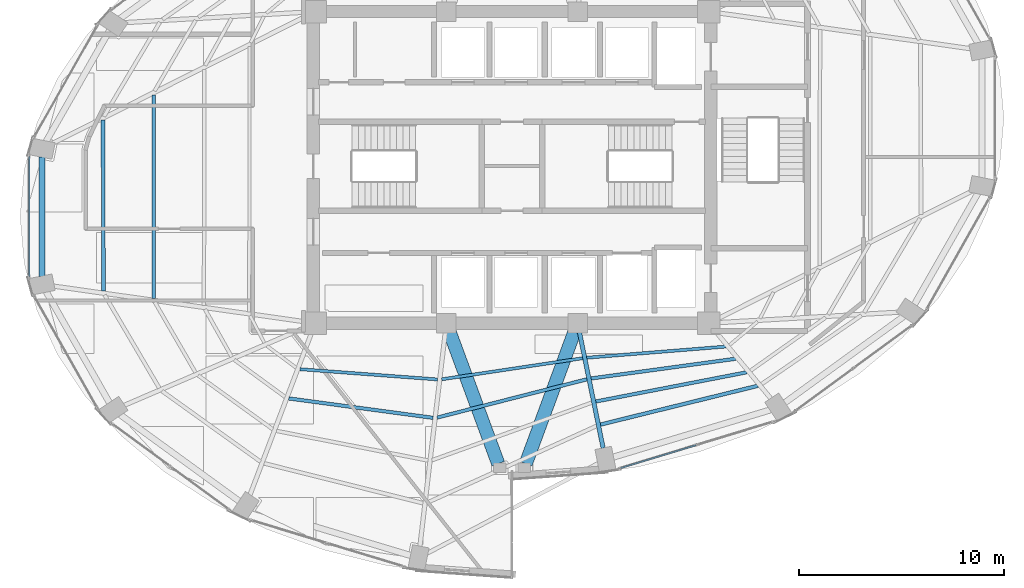
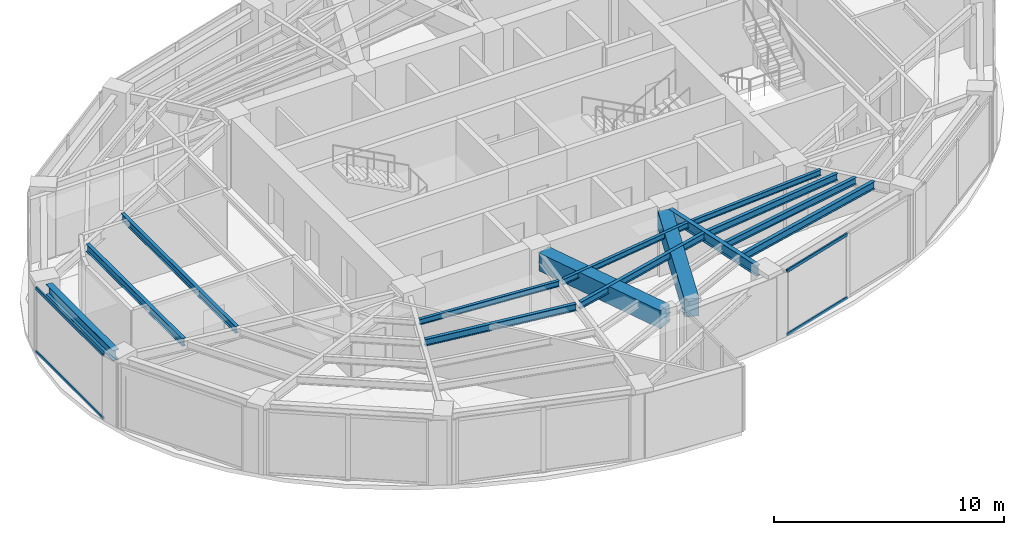
# One storey, part 5 of 20: 14 beams, 4 members, 2 elements without a shape of their own.
"""IFC4 building model written with IfcOpenShell, lengths in metres."""

from ifc_helpers import new_model, si_unit, direction, frame, origin, origin_2d, place, context, subcontext, project, spatial, rectangle, hollow_rectangle, i_section, extrude, material, layer, layer_set, material_profile, profile_set, type_object, element, aggregate, save


model = new_model("IFC4")

# Units and contexts
model_context = context("Model", 3, precision=1e-05, world=origin(), true_north=direction((0.0, 1.0)))
body_context = subcontext(model_context, "Body", "Model", "MODEL_VIEW")
ifc_project = project(units=[si_unit("LENGTHUNIT", "METRE"), si_unit("AREAUNIT", "SQUARE_METRE"), si_unit("VOLUMEUNIT", "CUBIC_METRE"), si_unit("PLANEANGLEUNIT", "RADIAN"), si_unit("MASSUNIT", "GRAM", prefix="KILO")], contexts=[model_context])

# Site, building, storey
site_placement = place(None, origin())
site = spatial("IfcSite", under=ifc_project, at=site_placement, CompositionType="ELEMENT")
building_placement = place(site_placement, origin())
building = spatial("IfcBuilding", under=site, at=building_placement, Name="Lazwardi Medical Tower", CompositionType="ELEMENT")
storey_placement = place(building_placement, frame((0.0, 0.0, 152.8798828125)))
storey = spatial("IfcBuildingStorey", under=building, at=storey_placement, Name="L39", CompositionType="ELEMENT", Elevation=152.8798828125)

# Beams
ifc_material_1 = material(Name="Concrete C60/75", Category="concrete")
ifc_material_profile_1 = material_profile(ifc_material_1, rectangle(XDim=0.64990234375, YDim=0.949951171875, at=origin_2d()), Name="RC 650x950")
ifc_profile_set_1 = profile_set([ifc_material_profile_1], Name="Concrete C60/75")
beam_type_1 = type_object("IfcBeamType", Name="BM-CB-RC2", PredefinedType="LINTEL", material=ifc_profile_set_1)
for number, where, z_axis, x_axis, name in (
    (1, (32.959228515625, 19.968505859375, 2.953125), (0.34601281054, -0.938229787921, 0.0), (0.938229787921, 0.34601281054, 0.0), "Core coupling lintel CB-02 PL3 L39"),
    (2, (39.040771484375, 19.968505859375, 2.953125), (-0.34601281054, -0.938229787921, 0.0), (0.938229787921, -0.34601281054, 0.0), "Core coupling lintel CB-02 PL4 L39"),
):
    element("IfcBeam", number, at=place(storey_placement, frame(where, z_axis=z_axis, x_axis=x_axis)), inside=storey, type_object=beam_type_1, Name=name, PredefinedType="LINTEL", context=body_context, shape_type="SweptSolid", body=[
        extrude(rectangle(XDim=0.64990234375, YDim=0.949951171875, at=origin_2d()), origin(), (0.0, 0.0, 1.0), 6.84423828125),
    ])
ifc_material_2 = material(Name="Steel S355", Category="steel")
ifc_material_profile_2 = material_profile(ifc_material_2, i_section(OverallWidth=0.300048828125, OverallDepth=0.550048828125, WebThickness=0.014892578125, FlangeThickness=0.029052734375, at=origin_2d()), Name="HEB 550")
ifc_profile_set_2 = profile_set([ifc_material_profile_2], Name="Steel S355")
beam_type_2 = type_object("IfcBeamType", Name="BM-RB-Z3", PredefinedType="BEAM", material=ifc_profile_set_2)
beam_1_placement = place(storey_placement, frame((13.07421875, 28.51171875, 3.153076171875), z_axis=(0.0, -1.0, 0.0), x_axis=(1.0, 0.0, 0.0)))
element("IfcBeam", 3, at=beam_1_placement, inside=storey, type_object=beam_type_2, Name="Ring beam RB-04 B12 L39", PredefinedType="BEAM", context=body_context, shape_type="SweptSolid", body=[
    extrude(i_section(OverallWidth=0.300048828125, OverallDepth=0.550048828125, WebThickness=0.014892578125, FlangeThickness=0.029052734375, at=origin_2d()), origin(), (0.0, 0.0, 1.0), 5.823486328125),
])
ifc_material_profile_3 = material_profile(ifc_material_2, i_section(OverallWidth=0.2099609375, OverallDepth=0.550048828125, WebThickness=0.010986328125, FlangeThickness=0.01708984375, at=origin_2d()), Name="IPE 550")
ifc_profile_set_3 = profile_set([ifc_material_profile_3], Name="Steel S355")
beam_type_3 = type_object("IfcBeamType", Name="BM-RG-W2", PredefinedType="BEAM", material=ifc_profile_set_3)
beam_2_placement = place(storey_placement, frame((40.447998046875, 14.2998046875, 3.153076171875), z_axis=(-0.200429485343, 0.979708130723, 0.0), x_axis=(-0.979708130723, -0.200429485343, 0.0)))
element("IfcBeam", 4, at=beam_2_placement, inside=storey, type_object=beam_type_3, Name="Radial girder RG-03 R01 L39", PredefinedType="BEAM", context=body_context, shape_type="SweptSolid", body=[
    extrude(i_section(OverallWidth=0.2099609375, OverallDepth=0.550048828125, WebThickness=0.010986328125, FlangeThickness=0.01708984375, at=origin_2d()), origin(), (0.0, 0.0, 1.0), 5.766357421875),
])
ifc_material_profile_4 = material_profile(ifc_material_2, i_section(OverallWidth=0.179931640625, OverallDepth=0.39990234375, WebThickness=0.008544921875, FlangeThickness=0.013427734375, at=origin_2d()), Name="IPE 400")
ifc_profile_set_4 = profile_set([ifc_material_profile_4], Name="Steel S355")
beam_type_4 = type_object("IfcBeamType", Name="BM-SJ-01", PredefinedType="JOIST", material=ifc_profile_set_4)
beam_3_placement = place(storey_placement, frame((40.31396484375, 15.45361328125, 3.22802734375), z_axis=(0.970912648168, 0.239433977597, 0.0), x_axis=(-0.239433977597, 0.970912648168, 0.0)))
element("IfcBeam", 5, at=beam_3_placement, inside=storey, type_object=beam_type_4, Name="Secondary joist SJ-01 R1 B01 L39", PredefinedType="JOIST", context=body_context, shape_type="SweptSolid", body=[
    extrude(i_section(OverallWidth=0.179931640625, OverallDepth=0.39990234375, WebThickness=0.008544921875, FlangeThickness=0.013427734375, at=origin_2d()), origin(), (0.0, 0.0, 1.0), 7.91162109375),
])
beam_4_placement = place(storey_placement, frame((16.04443359375, 30.30224609375, 3.22802734375), z_axis=(0.003864366017, -0.99999253331, 0.0), x_axis=(0.99999253331, 0.003864366017, 0.0)))
element("IfcBeam", 6, at=beam_4_placement, inside=storey, type_object=beam_type_4, Name="Secondary joist SJ-01 R1 B12 L39", PredefinedType="JOIST", context=body_context, shape_type="SweptSolid", body=[
    extrude(i_section(OverallWidth=0.179931640625, OverallDepth=0.39990234375, WebThickness=0.008544921875, FlangeThickness=0.013427734375, at=origin_2d()), origin(), (0.0, 0.0, 1.0), 8.33935546875),
])
ifc_material_profile_5 = material_profile(ifc_material_2, i_section(OverallWidth=0.169921875, OverallDepth=0.360107421875, WebThickness=0.008056640625, FlangeThickness=0.0126953125, at=origin_2d()), Name="IPE 360")
ifc_profile_set_5 = profile_set([ifc_material_profile_5], Name="Steel S355")
beam_type_5 = type_object("IfcBeamType", Name="BM-SJ-02", PredefinedType="JOIST", material=ifc_profile_set_5)
beam_5_placement = place(storey_placement, frame((40.083984375, 16.57861328125, 3.248046875), z_axis=(0.981753035865, 0.190160396953, 0.0), x_axis=(-0.190160396953, 0.981753035865, 0.0)))
element("IfcBeam", 7, at=beam_5_placement, inside=storey, type_object=beam_type_5, Name="Secondary joist SJ-02 R2 B01 L39", PredefinedType="JOIST", context=body_context, shape_type="SweptSolid", body=[
    extrude(i_section(OverallWidth=0.169921875, OverallDepth=0.360107421875, WebThickness=0.008056640625, FlangeThickness=0.0126953125, at=origin_2d()), origin(), (0.0, 0.0, 1.0), 7.50927734375),
])
beam_6_placement = place(storey_placement, frame((18.513671875, 31.541748046875, 3.248046875), z_axis=(0.001156040156, -0.999999331785, 0.0), x_axis=(0.999999331785, 0.001156040156, 0.0)))
element("IfcBeam", 8, at=beam_6_placement, inside=storey, type_object=beam_type_5, Name="Secondary joist SJ-02 R2 B12 L39", PredefinedType="JOIST", context=body_context, shape_type="SweptSolid", body=[
    extrude(i_section(OverallWidth=0.169921875, OverallDepth=0.360107421875, WebThickness=0.008056640625, FlangeThickness=0.0126953125, at=origin_2d()), origin(), (0.0, 0.0, 1.0), 9.92578125),
])
beam_7_placement = place(storey_placement, frame((39.853515625, 17.702880859375, 3.248046875), z_axis=(0.990832043476, 0.135099450852, 0.0), x_axis=(-0.135099450852, 0.990832043476, 0.0)))
element("IfcBeam", 9, at=beam_7_placement, inside=storey, type_object=beam_type_5, Name="Secondary joist SJ-02 R3 B01 L39", PredefinedType="JOIST", context=body_context, shape_type="SweptSolid", body=[
    extrude(i_section(OverallWidth=0.169921875, OverallDepth=0.360107421875, WebThickness=0.008056640625, FlangeThickness=0.0126953125, at=origin_2d()), origin(), (0.0, 0.0, 1.0), 7.129150390625),
])
beam_8_placement = place(storey_placement, frame((25.110107421875, 16.730224609375, 3.248046875), z_axis=(0.991056291961, -0.133444468468, 0.0), x_axis=(0.133444468468, 0.991056291961, 0.0)))
element("IfcBeam", 10, at=beam_8_placement, inside=storey, type_object=beam_type_5, Name="Secondary joist SJ-02 R3 B15 L39", PredefinedType="JOIST", context=body_context, shape_type="SweptSolid", body=[
    extrude(i_section(OverallWidth=0.169921875, OverallDepth=0.360107421875, WebThickness=0.008056640625, FlangeThickness=0.0126953125, at=origin_2d()), origin(), (0.0, 0.0, 1.0), 7.10400390625),
])
beam_9_placement = place(storey_placement, frame((32.3466796875, 15.793701171875, 3.248046875), z_axis=(0.96877632572, 0.247936344097, 0.0), x_axis=(-0.247936344097, 0.96877632572, 0.0)))
element("IfcBeam", 11, at=beam_9_placement, inside=storey, type_object=beam_type_5, Name="Secondary joist SJ-02 R3 B16 L39", PredefinedType="JOIST", context=body_context, shape_type="SweptSolid", body=[
    extrude(i_section(OverallWidth=0.169921875, OverallDepth=0.360107421875, WebThickness=0.008056640625, FlangeThickness=0.0126953125, at=origin_2d()), origin(), (0.0, 0.0, 1.0), 7.546630859375),
])
ifc_material_profile_6 = material_profile(ifc_material_2, i_section(OverallWidth=0.14990234375, OverallDepth=0.300048828125, WebThickness=0.007080078125, FlangeThickness=0.0107421875, at=origin_2d()), Name="IPE 300")
ifc_profile_set_6 = profile_set([ifc_material_profile_6], Name="Steel S355")
beam_type_6 = type_object("IfcBeamType", Name="BM-SJ-03", PredefinedType="JOIST", material=ifc_profile_set_6)
beam_10_placement = place(storey_placement, frame((39.646240234375, 18.71435546875, 3.278076171875), z_axis=(0.996785792338, 0.08011294647, 0.0), x_axis=(-0.08011294647, 0.996785792338, 0.0)))
element("IfcBeam", 12, at=beam_10_placement, inside=storey, type_object=beam_type_6, Name="Secondary joist SJ-03 R4 B01 L39", PredefinedType="JOIST", context=body_context, shape_type="SweptSolid", body=[
    extrude(i_section(OverallWidth=0.14990234375, OverallDepth=0.300048828125, WebThickness=0.007080078125, FlangeThickness=0.0107421875, at=origin_2d()), origin(), (0.0, 0.0, 1.0), 6.80810546875),
])
beam_11_placement = place(storey_placement, frame((25.650390625, 18.156494140625, 3.278076171875), z_axis=(0.99722699261, -0.074419924822, 0.0), x_axis=(0.074419924822, 0.99722699261, 0.0)))
element("IfcBeam", 13, at=beam_11_placement, inside=storey, type_object=beam_type_6, Name="Secondary joist SJ-03 R4 B15 L39", PredefinedType="JOIST", context=body_context, shape_type="SweptSolid", body=[
    extrude(i_section(OverallWidth=0.14990234375, OverallDepth=0.300048828125, WebThickness=0.007080078125, FlangeThickness=0.0107421875, at=origin_2d()), origin(), (0.0, 0.0, 1.0), 6.74169921875),
])
beam_12_placement = place(storey_placement, frame((32.57177734375, 17.662109375, 3.278076171875), z_axis=(0.98897469849, 0.148084589835, 0.0), x_axis=(-0.148084589835, 0.98897469849, 0.0)))
element("IfcBeam", 14, at=beam_12_placement, inside=storey, type_object=beam_type_6, Name="Secondary joist SJ-03 R4 B16 L39", PredefinedType="JOIST", context=body_context, shape_type="SweptSolid", body=[
    extrude(i_section(OverallWidth=0.14990234375, OverallDepth=0.300048828125, WebThickness=0.007080078125, FlangeThickness=0.0107421875, at=origin_2d()), origin(), (0.0, 0.0, 1.0), 6.952392578125),
])

# Curtain wall, members
ifc_material_3 = material(Name="Anodised bronze aluminium and solar control glazing", Category="aluminium")
ifc_layer = layer(ifc_material_3, 0.195068359375)
ifc_layer_set = layer_set([ifc_layer], Name="Anodised bronze aluminium and solar control glazing")
curtain_wall_type = type_object("IfcCurtainWallType", Name="CW-SYS-03", PredefinedType="NOTDEFINED", material=ifc_layer_set)
curtain_wall_1_placement = place(storey_placement, origin())
curtain_wall_1 = element("IfcCurtainWall", 15, at=curtain_wall_1_placement, inside=storey, type_object=curtain_wall_type, Name="L39 Unitised bronze curtain wall CW-03", PredefinedType="NOTDEFINED")
ifc_material_4 = material(Name="Anodised bronze aluminium", Category="aluminium")
ifc_material_profile_7 = material_profile(ifc_material_4, hollow_rectangle(XDim=0.074951171875, YDim=0.159912109375, WallThickness=0.00390625, at=origin_2d()), Name="ALU-TRANSOM 160x75x4")
ifc_profile_set_7 = profile_set([ifc_material_profile_7], Name="Anodised bronze aluminium")
member_type = type_object("IfcMemberType", Name="CW-TRN-01", PredefinedType="USERDEFINED", material=ifc_profile_set_7)
member_1_placement = place(storey_placement, frame((41.307861328125, 13.336669921875, 0.03759765625), z_axis=(0.956935517424, 0.290300560612, 0.0), x_axis=(-0.290300560612, 0.956935517424, 0.0)))
member_1 = element("IfcMember", 16, at=member_1_placement, type_object=member_type, Name="CW-03 transom 1.1", ObjectType="TRANSOM", PredefinedType="USERDEFINED", context=body_context, shape_type="SweptSolid", body=[
    extrude(hollow_rectangle(XDim=0.074951171875, YDim=0.159912109375, WallThickness=0.00390625, at=origin_2d()), origin(), (0.0, 0.0, 1.0), 3.836669921875),
])
member_2_placement = place(storey_placement, frame((41.307861328125, 13.336669921875, 3.390625), z_axis=(0.956935517424, 0.290300560612, 0.0), x_axis=(-0.290300560612, 0.956935517424, 0.0)))
member_2 = element("IfcMember", 17, at=member_2_placement, type_object=member_type, Name="CW-03 transom 1.2", ObjectType="TRANSOM", PredefinedType="USERDEFINED", context=body_context, shape_type="SweptSolid", body=[
    extrude(hollow_rectangle(XDim=0.074951171875, YDim=0.159912109375, WallThickness=0.00390625, at=origin_2d()), origin(), (0.0, 0.0, 1.0), 3.836669921875),
])
aggregate(curtain_wall_1, [member_1, member_2])

curtain_wall_2_placement = place(storey_placement, origin())
curtain_wall_2 = element("IfcCurtainWall", 18, at=curtain_wall_2_placement, inside=storey, type_object=curtain_wall_type, Name="L39 Unitised bronze curtain wall CW-03", PredefinedType="NOTDEFINED")
member_3_placement = place(storey_placement, frame((12.4423828125, 28.5205078125, 0.03759765625), z_axis=(0.0, -1.0, 0.0), x_axis=(1.0, 0.0, 0.0)))
member_3 = element("IfcMember", 19, at=member_3_placement, type_object=member_type, Name="CW-03 transom 1.1", ObjectType="TRANSOM", PredefinedType="USERDEFINED", context=body_context, shape_type="SweptSolid", body=[
    extrude(hollow_rectangle(XDim=0.074951171875, YDim=0.159912109375, WallThickness=0.00390625, at=origin_2d()), origin(), (0.0, 0.0, 1.0), 5.8408203125),
])
member_4_placement = place(storey_placement, frame((12.4423828125, 28.5205078125, 3.390625), z_axis=(0.0, -1.0, 0.0), x_axis=(1.0, 0.0, 0.0)))
member_4 = element("IfcMember", 20, at=member_4_placement, type_object=member_type, Name="CW-03 transom 1.2", ObjectType="TRANSOM", PredefinedType="USERDEFINED", context=body_context, shape_type="SweptSolid", body=[
    extrude(hollow_rectangle(XDim=0.074951171875, YDim=0.159912109375, WallThickness=0.00390625, at=origin_2d()), origin(), (0.0, 0.0, 1.0), 5.8408203125),
])
aggregate(curtain_wall_2, [member_3, member_4])

save(model, "model.ifc")
